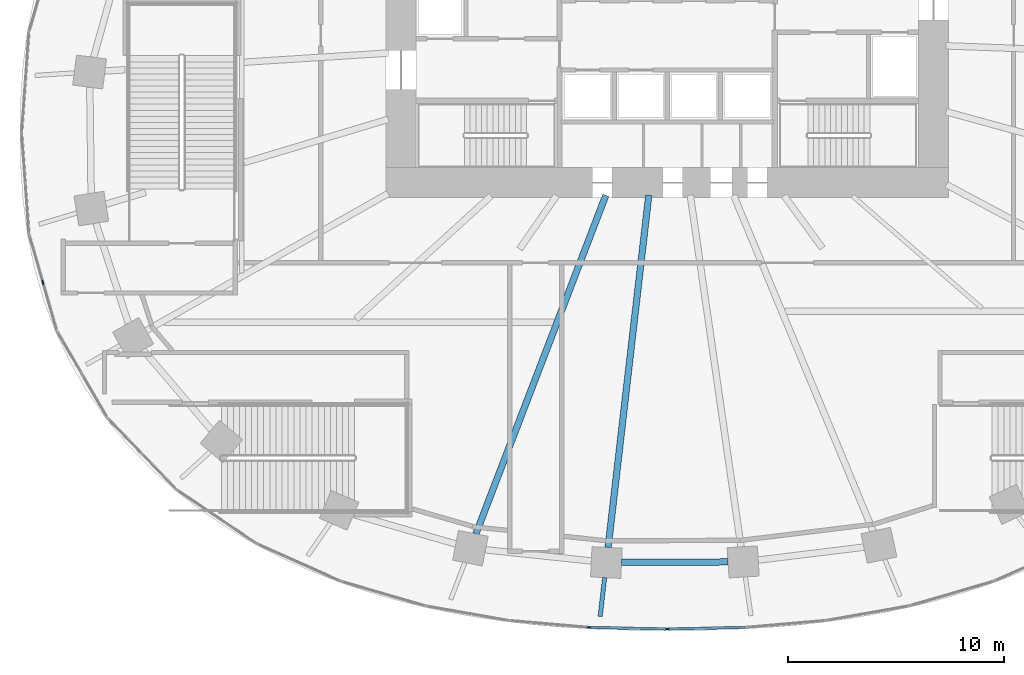
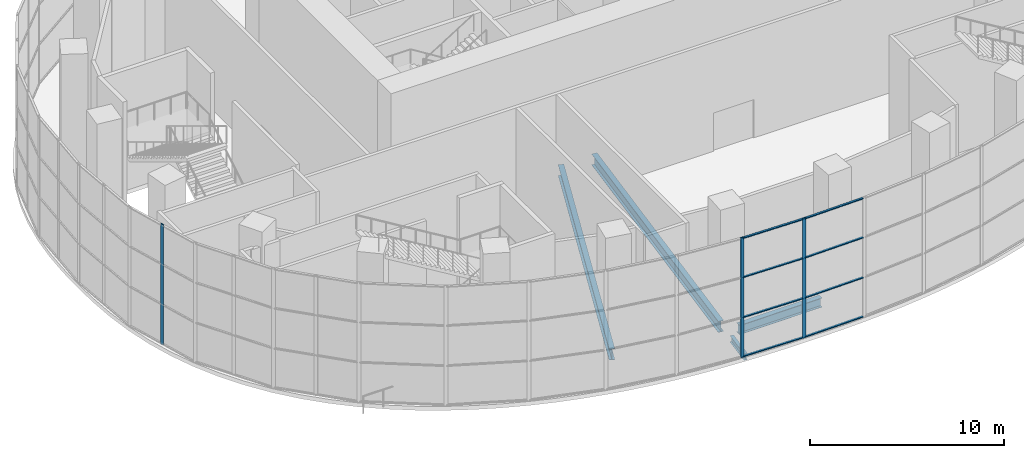
# One storey, part 3 of 22: 11 members, 4 beams, 3 elements without a shape of their own.
"""IFC4 building model written with IfcOpenShell, lengths in metres."""

from ifc_helpers import new_model, si_unit, direction, frame, origin, origin_2d, place, context, subcontext, project, spatial, rectangle, i_section, extrude, material, material_profile, profile_set, type_object, element, aggregate, save


model = new_model("IFC4")

# Units and contexts
model_context = context("Model", 3, precision=1e-05, world=origin(), true_north=direction((0.0, 1.0)))
body_context = subcontext(model_context, "Body", "Model", "MODEL_VIEW")
ifc_project = project(units=[si_unit("LENGTHUNIT", "METRE"), si_unit("AREAUNIT", "SQUARE_METRE"), si_unit("VOLUMEUNIT", "CUBIC_METRE"), si_unit("PLANEANGLEUNIT", "RADIAN"), si_unit("MASSUNIT", "GRAM", prefix="KILO")], contexts=[model_context])

# Site, building, storey
site_placement = place(None, origin())
site = spatial("IfcSite", under=ifc_project, at=site_placement, CompositionType="ELEMENT")
building_placement = place(site_placement, origin())
building = spatial("IfcBuilding", under=site, at=building_placement, Name="Rubra Terraces Tower", CompositionType="ELEMENT")
storey_placement = place(building_placement, frame((0.0, 0.0, 7.199951171875)))
storey = spatial("IfcBuildingStorey", under=building, at=storey_placement, Name="L01", CompositionType="ELEMENT", Elevation=7.199951171875)

# Beams
ifc_material_1 = material(Name="Steel Q355B", Category="steel")
ifc_material_profile_1 = material_profile(ifc_material_1, i_section(OverallWidth=0.199951171875, OverallDepth=0.39990234375, WebThickness=0.008056640625, FlangeThickness=0.012939453125, at=origin_2d()), Name="HN 400x200x8x13")
ifc_profile_set_1 = profile_set([ifc_material_profile_1], Name="Steel Q355B")
beam_type_1 = type_object("IfcBeamType", Name="CANTILEVER BEAM HN 400x200x8x13", PredefinedType="BEAM", material=ifc_profile_set_1)
beam_1_placement = place(storey_placement, frame((-2.89111328125, -20.551025390625, -0.449951171875), z_axis=(-0.114572764889, -0.99341485873, 0.0), x_axis=(0.99341485873, -0.114572764889, 0.0)))
element("IfcBeam", 1, at=beam_1_placement, inside=storey, type_object=beam_type_1, Name="beam-L01-cant-18", PredefinedType="BEAM", context=body_context, shape_type="SweptSolid", body=[
    extrude(i_section(OverallWidth=0.199951171875, OverallDepth=0.39990234375, WebThickness=0.008056640625, FlangeThickness=0.012939453125, at=origin_2d()), origin(), (0.0, 0.0, 1.0), 1.804931640625),
])
ifc_material_profile_2 = material_profile(ifc_material_1, i_section(OverallWidth=0.300048828125, OverallDepth=0.699951171875, WebThickness=0.012939453125, FlangeThickness=0.02392578125, at=origin_2d()), Name="HN 700x300x13x24")
ifc_profile_set_2 = profile_set([ifc_material_profile_2], Name="Steel Q355B")
beam_type_2 = type_object("IfcBeamType", Name="FLOOR BEAM HN 700x300x13x24", PredefinedType="BEAM", material=ifc_profile_set_2)
beam_2_placement = place(storey_placement, frame((-8.839111328125, -18.529052734375, -0.599853515625), z_axis=(0.358321803184, 0.933598139117, 0.0), x_axis=(-0.933598139117, 0.358321803184, 0.0)))
element("IfcBeam", 2, at=beam_2_placement, inside=storey, type_object=beam_type_2, Name="beam-L01-floor-17", PredefinedType="BEAM", context=body_context, shape_type="SweptSolid", body=[
    extrude(i_section(OverallWidth=0.300048828125, OverallDepth=0.699951171875, WebThickness=0.012939453125, FlangeThickness=0.02392578125, at=origin_2d()), origin(), (0.0, 0.0, 1.0), 16.753662109375),
])
beam_3_placement = place(storey_placement, frame((-2.73095703125, -19.156982421875, -0.599853515625), z_axis=(0.114679535872, 0.993402538779, 0.0), x_axis=(-0.993402538779, 0.114679535872, 0.0)))
element("IfcBeam", 3, at=beam_3_placement, inside=storey, type_object=beam_type_2, Name="beam-L01-floor-18", PredefinedType="BEAM", context=body_context, shape_type="SweptSolid", body=[
    extrude(i_section(OverallWidth=0.300048828125, OverallDepth=0.699951171875, WebThickness=0.012939453125, FlangeThickness=0.02392578125, at=origin_2d()), origin(), (0.0, 0.0, 1.0), 16.384033203125),
])

# Curtain wall, member
ifc_material_2 = material(Name="Aluminium and glass", Category="aluminium")
curtain_wall_type = type_object("IfcCurtainWallType", Name="Curtain wall Podium glazing", PredefinedType="NOTDEFINED", material=ifc_material_2)
curtain_wall_1_placement = place(storey_placement, origin())
curtain_wall_1 = element("IfcCurtainWall", 4, at=curtain_wall_1_placement, inside=storey, type_object=curtain_wall_type, Name="L01 glazing bay 22", PredefinedType="NOTDEFINED")
ifc_material_3 = material(Name="Aluminium, anodised dark grey", Category="aluminium")
ifc_material_profile_3 = material_profile(ifc_material_3, rectangle(XDim=0.06005859375, YDim=0.199951171875, at=origin_2d()), Name="AL 60x200")
ifc_profile_set_3 = profile_set([ifc_material_profile_3], Name="Aluminium, anodised dark grey")
member_type_1 = type_object("IfcMemberType", Name="Podium glazing mullion 60 x 200", PredefinedType="MULLION", material=ifc_profile_set_3)
member_1_placement = place(storey_placement, frame((-28.843505859375, -6.912841796875, 0.0), z_axis=(0.0, 0.0, 1.0), x_axis=(0.961047339404, 0.276383811798, 0.0)))
member_1 = element("IfcMember", 5, at=member_1_placement, type_object=member_type_1, Name="CW1 mullion 2", PredefinedType="MULLION", context=body_context, shape_type="SweptSolid", body=[
    extrude(rectangle(XDim=0.06005859375, YDim=0.199951171875, at=origin_2d()), origin(), (0.0, 0.0, 1.0), 7.550048828125),
])
aggregate(curtain_wall_1, [member_1])

curtain_wall_2_placement = place(storey_placement, origin())
curtain_wall_2 = element("IfcCurtainWall", 6, at=curtain_wall_2_placement, inside=storey, type_object=curtain_wall_type, Name="L01 glazing bay 30", PredefinedType="NOTDEFINED")
member_2_placement = place(storey_placement, frame((-3.598388671875, -22.84765625, 0.0), z_axis=(0.0, 0.0, 1.0), x_axis=(0.021482644428, 0.999769221365, 0.0)))
member_2 = element("IfcMember", 7, at=member_2_placement, type_object=member_type_1, Name="CW1 mullion 1", PredefinedType="MULLION", context=body_context, shape_type="SweptSolid", body=[
    extrude(rectangle(XDim=0.06005859375, YDim=0.199951171875, at=origin_2d()), origin(), (0.0, 0.0, 1.0), 7.550048828125),
])

curtain_wall_3_placement = place(storey_placement, origin())
curtain_wall_3 = element("IfcCurtainWall", 8, at=curtain_wall_3_placement, inside=storey, type_object=curtain_wall_type, Name="L01 glazing bay 31", PredefinedType="NOTDEFINED")
member_3_placement = place(storey_placement, frame((0.0283203125, -22.92431640625, 0.0), z_axis=(0.0, 0.0, 1.0), x_axis=(-0.021482644428, 0.999769221365, 0.0)))
member_3 = element("IfcMember", 9, at=member_3_placement, type_object=member_type_1, Name="CW1 mullion 1", PredefinedType="MULLION", context=body_context, shape_type="SweptSolid", body=[
    extrude(rectangle(XDim=0.06005859375, YDim=0.199951171875, at=origin_2d()), origin(), (0.0, 0.0, 1.0), 7.550048828125),
])

# Member
ifc_material_profile_4 = material_profile(ifc_material_3, rectangle(XDim=0.1201171875, YDim=0.06005859375, at=origin_2d()), Name="AL 120x60")
ifc_profile_set_4 = profile_set([ifc_material_profile_4], Name="Aluminium, anodised dark grey")
member_type_2 = type_object("IfcMemberType", Name="Podium glazing transom 120 x 60", PredefinedType="USERDEFINED", material=ifc_profile_set_4)
member_4_placement = place(storey_placement, frame((-3.568359375, -22.848388671875, 0.06005859375), z_axis=(0.99976911273, -0.021487699509, 0.0), x_axis=(0.021487699509, 0.99976911273, 0.0)))
member_4 = element("IfcMember", 10, at=member_4_placement, type_object=member_type_2, Name="CW1 transom 1.1", ObjectType="TRANSOM", PredefinedType="USERDEFINED", context=body_context, shape_type="SweptSolid", body=[
    extrude(rectangle(XDim=0.1201171875, YDim=0.06005859375, at=origin_2d()), origin(), (0.0, 0.0, 1.0), 3.5107421875),
])

member_5_placement = place(storey_placement, frame((-3.568359375, -22.848388671875, 2.516845703125), z_axis=(0.99976911273, -0.021487699509, 0.0), x_axis=(0.021487699509, 0.99976911273, 0.0)))
member_5 = element("IfcMember", 11, at=member_5_placement, type_object=member_type_2, Name="CW1 transom 1.2", ObjectType="TRANSOM", PredefinedType="USERDEFINED", context=body_context, shape_type="SweptSolid", body=[
    extrude(rectangle(XDim=0.1201171875, YDim=0.06005859375, at=origin_2d()), origin(), (0.0, 0.0, 1.0), 3.5107421875),
])

member_6_placement = place(storey_placement, frame((-3.568359375, -22.848388671875, 5.033447265625), z_axis=(0.99976911273, -0.021487699509, 0.0), x_axis=(0.021487699509, 0.99976911273, 0.0)))
member_6 = element("IfcMember", 12, at=member_6_placement, type_object=member_type_2, Name="CW1 transom 1.3", ObjectType="TRANSOM", PredefinedType="USERDEFINED", context=body_context, shape_type="SweptSolid", body=[
    extrude(rectangle(XDim=0.1201171875, YDim=0.06005859375, at=origin_2d()), origin(), (0.0, 0.0, 1.0), 3.5107421875),
])

member_7_placement = place(storey_placement, frame((-3.568359375, -22.848388671875, 7.489990234375), z_axis=(0.99976911273, -0.021487699509, 0.0), x_axis=(0.021487699509, 0.99976911273, 0.0)))
member_7 = element("IfcMember", 13, at=member_7_placement, type_object=member_type_2, Name="CW1 transom 1.4", ObjectType="TRANSOM", PredefinedType="USERDEFINED", context=body_context, shape_type="SweptSolid", body=[
    extrude(rectangle(XDim=0.1201171875, YDim=0.06005859375, at=origin_2d()), origin(), (0.0, 0.0, 1.0), 3.5107421875),
])

aggregate(curtain_wall_2, [member_2, member_4, member_5, member_6, member_7])

member_8_placement = place(storey_placement, frame((0.058349609375, -22.923828125, 0.06005859375), z_axis=(0.99976911273, 0.021487699509, 0.0), x_axis=(-0.021487699509, 0.99976911273, 0.0)))
member_8 = element("IfcMember", 14, at=member_8_placement, type_object=member_type_2, Name="CW1 transom 1.1", ObjectType="TRANSOM", PredefinedType="USERDEFINED", context=body_context, shape_type="SweptSolid", body=[
    extrude(rectangle(XDim=0.1201171875, YDim=0.06005859375, at=origin_2d()), origin(), (0.0, 0.0, 1.0), 3.5107421875),
])

member_9_placement = place(storey_placement, frame((0.058349609375, -22.923828125, 2.516845703125), z_axis=(0.99976911273, 0.021487699509, 0.0), x_axis=(-0.021487699509, 0.99976911273, 0.0)))
member_9 = element("IfcMember", 15, at=member_9_placement, type_object=member_type_2, Name="CW1 transom 1.2", ObjectType="TRANSOM", PredefinedType="USERDEFINED", context=body_context, shape_type="SweptSolid", body=[
    extrude(rectangle(XDim=0.1201171875, YDim=0.06005859375, at=origin_2d()), origin(), (0.0, 0.0, 1.0), 3.5107421875),
])

member_10_placement = place(storey_placement, frame((0.058349609375, -22.923828125, 5.033447265625), z_axis=(0.99976911273, 0.021487699509, 0.0), x_axis=(-0.021487699509, 0.99976911273, 0.0)))
member_10 = element("IfcMember", 16, at=member_10_placement, type_object=member_type_2, Name="CW1 transom 1.3", ObjectType="TRANSOM", PredefinedType="USERDEFINED", context=body_context, shape_type="SweptSolid", body=[
    extrude(rectangle(XDim=0.1201171875, YDim=0.06005859375, at=origin_2d()), origin(), (0.0, 0.0, 1.0), 3.5107421875),
])

member_11_placement = place(storey_placement, frame((0.058349609375, -22.923828125, 7.489990234375), z_axis=(0.99976911273, 0.021487699509, 0.0), x_axis=(-0.021487699509, 0.99976911273, 0.0)))
member_11 = element("IfcMember", 17, at=member_11_placement, type_object=member_type_2, Name="CW1 transom 1.4", ObjectType="TRANSOM", PredefinedType="USERDEFINED", context=body_context, shape_type="SweptSolid", body=[
    extrude(rectangle(XDim=0.1201171875, YDim=0.06005859375, at=origin_2d()), origin(), (0.0, 0.0, 1.0), 3.5107421875),
])

aggregate(curtain_wall_3, [member_3, member_8, member_9, member_10, member_11])

# Beam
ifc_material_profile_5 = material_profile(ifc_material_1, i_section(OverallWidth=0.300048828125, OverallDepth=0.587890625, WebThickness=0.011962890625, FlangeThickness=0.02001953125, at=origin_2d()), Name="HM 588x300x12x20")
ifc_profile_set_5 = profile_set([ifc_material_profile_5], Name="Steel Q355B")
beam_type_3 = type_object("IfcBeamType", Name="SPANDREL BEAM HM 588x300x12x20", PredefinedType="SPANDREL", material=ifc_profile_set_5)
beam_4_placement = place(storey_placement, frame((-2.110107421875, -19.85107421875, -0.5439453125), z_axis=(0.999987924698, 0.004914311469, 0.0), x_axis=(-0.004914311469, 0.999987924698, 0.0)))
element("IfcBeam", 18, at=beam_4_placement, inside=storey, type_object=beam_type_3, Name="beam-L01-spandrel-18", PredefinedType="SPANDREL", context=body_context, shape_type="SweptSolid", body=[
    extrude(i_section(OverallWidth=0.300048828125, OverallDepth=0.587890625, WebThickness=0.011962890625, FlangeThickness=0.02001953125, at=origin_2d()), origin(), (0.0, 0.0, 1.0), 4.918212890625),
])

save(model, "model.ifc")
